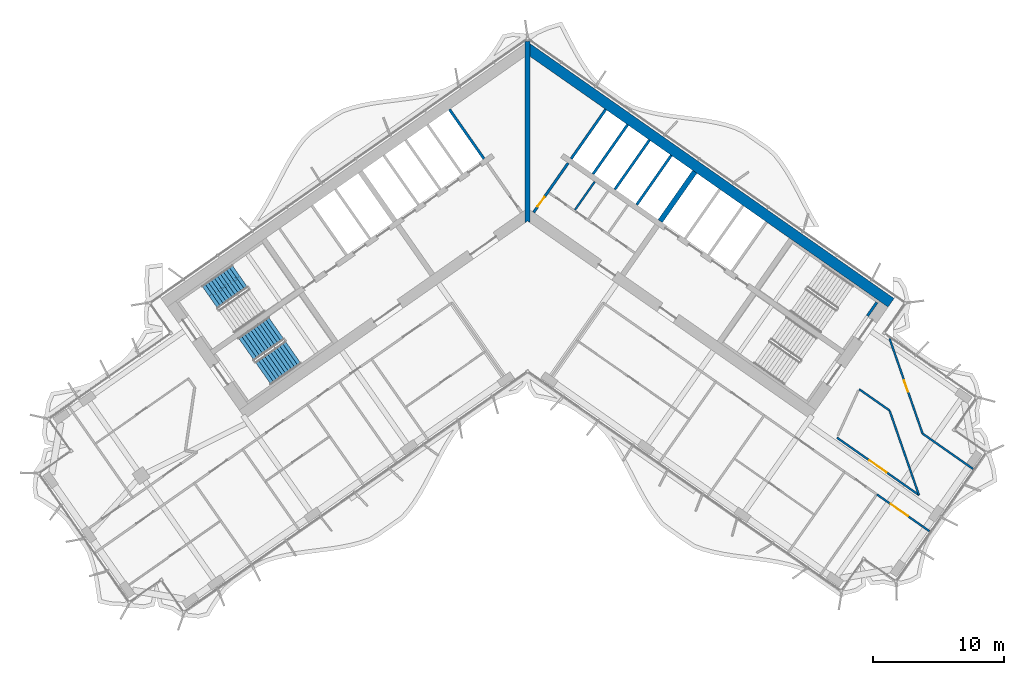
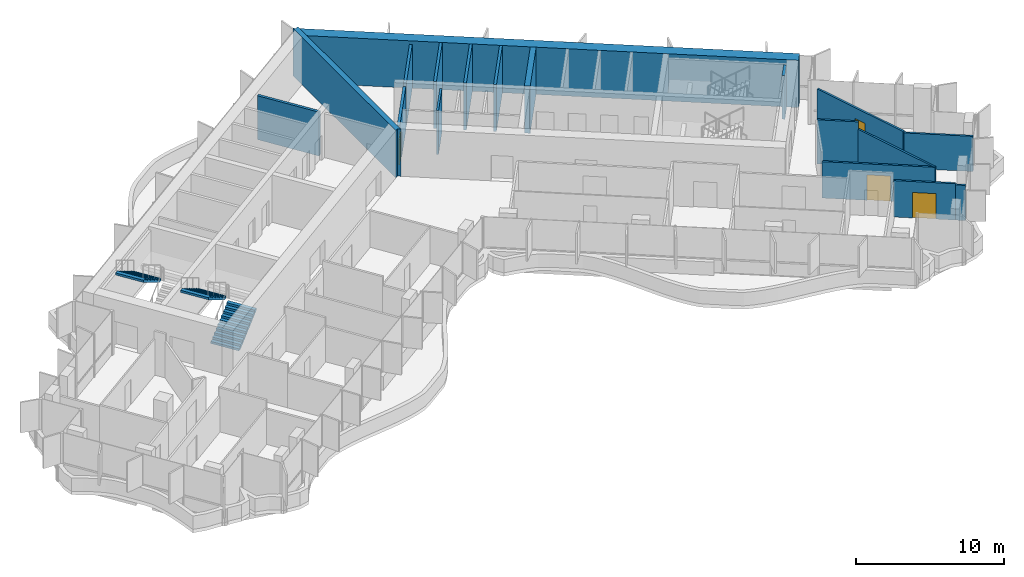
# One storey, part 17 of 23: 18 walls, 4 doors, 3 stair flights, 4 openings, 2 elements without a shape of their own.
"""IFC4 building model written with IfcOpenShell, lengths in metres."""

from ifc_helpers import new_model, si_unit, direction, frame, frame_2d, origin, place, context, subcontext, project, spatial, polyline, rectangle, outline, extrude, material, layer, layer_set, type_object, element, fill, aggregate, save


model = new_model("IFC4")

# Units and contexts
model_context = context("Model", 3, precision=1e-05, world=origin(), true_north=direction((0.0, 1.0)))
body_context = subcontext(model_context, "Body", "Model", "MODEL_VIEW")
ifc_project = project(units=[si_unit("LENGTHUNIT", "METRE"), si_unit("AREAUNIT", "SQUARE_METRE"), si_unit("VOLUMEUNIT", "CUBIC_METRE"), si_unit("PLANEANGLEUNIT", "RADIAN"), si_unit("MASSUNIT", "GRAM", prefix="KILO")], contexts=[model_context])

# Site, building, storey
site_placement = place(None, origin())
site = spatial("IfcSite", under=ifc_project, at=site_placement, CompositionType="ELEMENT")
building_placement = place(site_placement, origin())
building = spatial("IfcBuilding", under=site, at=building_placement, Name="Tel Ilan Convention Tower", CompositionType="ELEMENT")
storey_placement = place(building_placement, frame((0.0, 0.0, 194.39990234375)))
storey = spatial("IfcBuildingStorey", under=building, at=storey_placement, Name="L45", CompositionType="ELEMENT", Elevation=194.39990234375)

# Walls
ifc_material_1 = material(Name="Gypsum Plasterboard on Steel Stud", Category="steel")
ifc_layer_1 = layer(ifc_material_1, 0.14990234375)
ifc_layer_set_1 = layer_set([ifc_layer_1], Name="Core Room Partition Wall 150 mm EI 60")
wall_type_1 = type_object("IfcWallType", Name="Core Room Partition Wall 150 mm EI 60", PredefinedType="PARTITIONING", material=ifc_layer_set_1)
wall_1_placement = place(storey_placement, frame((3.618896484375, -0.3671875, 0.0), z_axis=(0.0, 0.0, 1.0), x_axis=(0.573549726504, 0.819170746076, 0.0)))
element("IfcWall", 1, at=wall_1_placement, inside=storey, type_object=wall_type_1, Name="L45 core wall wc-v0", PredefinedType="PARTITIONING", context=body_context, shape_type="SweptSolid", body=[
    extrude(rectangle(XDim=2.625, YDim=0.14990234375, at=frame_2d((1.3125, 0.0))), origin(), (0.0, 0.0, 1.0), 3.6201171875),
])
ifc_material_2 = material(Name="Concrete C30/37", Category="concrete")
ifc_layer_2 = layer(ifc_material_2, 0.199951171875)
ifc_layer_set_2 = layer_set([ifc_layer_2], Name="Core Service Room Wall 200 mm C30/37")
wall_type_2 = type_object("IfcWallType", Name="Core Service Room Wall 200 mm C30/37", PredefinedType="SOLIDWALL", material=ifc_layer_set_2)
wall_2_placement = place(storey_placement, frame((-3.32666015625, 3.530517578125, 0.0), z_axis=(0.0, 0.0, 1.0), x_axis=(-0.573576324356, 0.819152122709, 0.0)))
element("IfcWall", 2, at=wall_2_placement, inside=storey, type_object=wall_type_2, Name="L45 core wall apex-W-b", PredefinedType="SOLIDWALL", context=body_context, shape_type="SweptSolid", body=[
    extrude(rectangle(XDim=4.599853515625, YDim=0.199951171875, at=frame_2d((2.2998046875, 0.0))), origin(), (0.0, 0.0, 1.0), 3.6201171875),
])

# Wall, opening, door
wall_3_placement = place(storey_placement, frame((0.458740234375, -0.565185546875, 0.0), z_axis=(0.0, 0.0, 1.0), x_axis=(0.573576324356, 0.819152122709, 0.0)))
wall_3 = element("IfcWall", 3, at=wall_3_placement, inside=storey, type_object=wall_type_2, Name="L45 core wall apex-E", PredefinedType="SOLIDWALL", context=body_context, shape_type="SweptSolid", body=[
    extrude(rectangle(XDim=4.599853515625, YDim=0.199951171875, at=frame_2d((2.2998046875, 0.0))), origin(), (0.0, 0.0, 1.0), 3.6201171875),
])
opening_1_placement = place(wall_3_placement, frame((0.550048828125, 0.0, 0.0)))
opening_1 = element("IfcOpeningElement", 4, at=opening_1_placement, cuts=wall_3, Name="Opening CD3501", PredefinedType="OPENING", context=body_context, shape_type="SweptSolid", body=[
    extrude(rectangle(XDim=0.89990234375, YDim=2.10009765625, at=frame_2d((0.449951171875, 1.050048828125))), frame((0.0, 0.10986328125, 0.0), z_axis=(0.0, -1.0, 0.0), x_axis=(1.0, 0.0, 0.0)), (0.0, 0.0, 1.0), 0.219970703125),
])
ifc_material_3 = material(Name="Galvanised Steel Door Leaf", Category="steel")
door_type_1 = type_object("IfcDoorType", Name="Service Room Door 900 x 2100 FD60", OperationType="NOTDEFINED", PredefinedType="DOOR", material=ifc_material_3)
door_1_placement = place(opening_1_placement, origin())
door_1 = element("IfcDoor", 5, at=door_1_placement, inside=storey, type_object=door_type_1, Name="Electrical Room door", OperationType="SINGLE_SWING_RIGHT", OverallHeight=2.10009765625, OverallWidth=0.89990234375, PredefinedType="DOOR", context=body_context, shape_type="SweptSolid", body=[
    extrude(rectangle(XDim=0.89990234375, YDim=2.10009765625, at=frame_2d((0.449951171875, 1.050048828125))), frame((0.0, 0.02490234375, 0.0), z_axis=(0.0, -1.0, 0.0), x_axis=(1.0, 0.0, 0.0)), (0.0, 0.0, 1.0), 0.050048828125),
])
fill(opening_1, door_1)

# Walls
wall_4_placement = place(storey_placement, frame((3.32666015625, 3.530517578125, 0.0), z_axis=(0.0, 0.0, 1.0), x_axis=(0.573576324356, 0.819152122709, 0.0)))
element("IfcWall", 6, at=wall_4_placement, inside=storey, type_object=wall_type_2, Name="L45 core wall apex-E-b", PredefinedType="SOLIDWALL", context=body_context, shape_type="SweptSolid", body=[
    extrude(rectangle(XDim=4.599853515625, YDim=0.199951171875, at=frame_2d((2.2998046875, 0.0))), origin(), (0.0, 0.0, 1.0), 3.6201171875),
])
ifc_material_4 = material(Name="Concrete C50/60", Category="concrete")
ifc_layer_3 = layer(ifc_material_4, 0.39990234375)
ifc_layer_set_3 = layer_set([ifc_layer_3], Name="Core Shear Wall 400 mm C50/60")
wall_type_3 = type_object("IfcWallType", Name="Core Shear Wall 400 mm C50/60", PredefinedType="SHEAR", material=ifc_layer_set_3)
wall_5_placement = place(storey_placement, frame((10.12548828125, -1.230224609375, 0.0), z_axis=(0.0, 0.0, 1.0), x_axis=(0.573576324356, 0.819152122709, 0.0)))
element("IfcWall", 7, at=wall_5_placement, inside=storey, type_object=wall_type_3, Name="L45 core wall E-cross1-2", PredefinedType="SHEAR", context=body_context, shape_type="SweptSolid", body=[
    extrude(outline(polyline([(4.599853515625, -0.199951171875), (4.60009765625, 0.199951171875), (0.0, 0.199951171875), (0.0, -0.2001953125), (4.599853515625, -0.199951171875)])), origin(), (0.0, 0.0, 1.0), 3.900146484375),
])
wall_6_placement = place(storey_placement, frame((0.0, -1.36083984375, 0.0), z_axis=(0.0, 0.0, 1.0), x_axis=(0.0, 1.0, 0.0)))
element("IfcWall", 8, at=wall_6_placement, inside=storey, type_object=wall_type_3, Name="L45 core wall K-central", PredefinedType="SHEAR", context=body_context, shape_type="SweptSolid", body=[
    extrude(outline(polyline([(0.0, -0.199951171875), (0.14013671875, -0.199951171875), (1.0751953125, -0.199951171875), (12.696044921875, -0.199951171875), (13.812744140625, -0.199951171875), (13.893310546875, -0.199951171875), (13.933349609375, -0.172119140625), (13.812744140625, 0.0), (13.933349609375, 0.172119140625), (13.893310546875, 0.199951171875), (13.812744140625, 0.199951171875), (12.696044921875, 0.199951171875), (1.0751953125, 0.199951171875), (0.14013671875, 0.199951171875), (0.0, 0.199951171875), (0.14013671875, 0.0), (0.0, -0.199951171875)])), origin(), (0.0, 0.0, 1.0), 3.900146484375),
])
ifc_material_5 = material(Name="Concrete C50/60", Category="concrete")
ifc_layer_4 = layer(ifc_material_5, 0.800048828125)
ifc_layer_set_4 = layer_set([ifc_layer_4], Name="Core Shear Wall 800 mm C50/60")
wall_type_4 = type_object("IfcWallType", Name="Core Shear Wall 800 mm C50/60", PredefinedType="SHEAR", material=ifc_layer_set_4)
wall_7_placement = place(storey_placement, frame((-0.029296875, 11.984130859375, 0.0), z_axis=(0.0, 0.0, 1.0), x_axis=(0.819151382952, -0.573577380837, 0.0)))
element("IfcWall", 9, at=wall_7_placement, inside=storey, type_object=wall_type_4, Name="L45 core wall E-back", PredefinedType="SHEAR", context=body_context, shape_type="SweptSolid", body=[
    extrude(outline(polyline([(33.897705078125, 0.400146484375), (-0.000244140625, 0.39990234375), (0.56005859375, -0.400146484375), (33.897705078125, -0.39990234375), (33.897705078125, 0.400146484375)])), origin(), (0.0, 0.0, 1.0), 3.900146484375),
])

# Wall, opening, door
ifc_material_6 = material(Name="Plasterboard on Steel Studs", Category="steel")
ifc_layer_5 = layer(ifc_material_6, 0.14990234375)
ifc_layer_set_5 = layer_set([ifc_layer_5], Name="Fire-rated Partition 150 EI 60")
wall_type_5 = type_object("IfcWallType", Name="Fire-rated Partition 150 EI 60", PredefinedType="PARTITIONING", material=ifc_layer_set_5)
wall_8_placement = place(storey_placement, frame((23.604736328125, -17.7490234375, 0.0), z_axis=(0.0, 0.0, 1.0), x_axis=(0.819164438106, -0.57355873574, 0.0)))
wall_8 = element("IfcWall", 10, at=wall_8_placement, inside=storey, type_object=wall_type_5, Name="Partition 001", PredefinedType="PARTITIONING", context=body_context, shape_type="SweptSolid", body=[
    extrude(rectangle(XDim=7.649169921875, YDim=0.14990234375, at=frame_2d((3.82470703125, 0.0))), origin(), (0.0, 0.0, 1.0), 3.0),
])
opening_2_placement = place(wall_8_placement, frame((3.0244140625, 0.0, 0.0)))
opening_2 = element("IfcOpeningElement", 11, at=opening_2_placement, cuts=wall_8, Name="Opening L45-020", PredefinedType="OPENING", context=body_context, shape_type="SweptSolid", body=[
    extrude(rectangle(XDim=1.60009765625, YDim=2.10009765625, at=frame_2d((0.800048828125, 1.050048828125))), frame((0.0, 0.0849609375, 0.0), z_axis=(0.0, -1.0, 0.0), x_axis=(1.0, 0.0, 0.0)), (0.0, 0.0, 1.0), 0.169921875),
])
ifc_material_7 = material(Name="Timber Door Leaf in Steel Frame", Category="steel")
door_type_2 = type_object("IfcDoorType", Name="Tenant Suite Entrance Fire Door 1600x2100", OperationType="NOTDEFINED", PredefinedType="DOOR", material=ifc_material_7)
door_2_placement = place(opening_2_placement, origin())
door_2 = element("IfcDoor", 12, at=door_2_placement, inside=storey, type_object=door_type_2, Name="Door L45-020", OperationType="DOUBLE_DOOR_SINGLE_SWING", OverallHeight=2.10009765625, OverallWidth=1.60009765625, PredefinedType="DOOR", context=body_context, shape_type="SweptSolid", body=[
    extrude(rectangle(XDim=1.60009765625, YDim=2.10009765625, at=frame_2d((0.800048828125, 1.050048828125))), frame((0.0, 0.02490234375, 0.0), z_axis=(0.0, -1.0, 0.0), x_axis=(1.0, 0.0, 0.0)), (0.0, 0.0, 1.0), 0.050048828125),
])
fill(opening_2, door_2)

wall_9_placement = place(storey_placement, frame((30.09521484375, -24.4912109375, 0.0), z_axis=(0.0, 0.0, 1.0), x_axis=(-0.819130917785, 0.573606606943, 0.0)))
wall_9 = element("IfcWall", 13, at=wall_9_placement, inside=storey, type_object=wall_type_5, Name="Partition 006", PredefinedType="PARTITIONING", context=body_context, shape_type="SweptSolid", body=[
    extrude(rectangle(XDim=4.2021484375, YDim=0.14990234375, at=frame_2d((2.10107421875, 0.0))), origin(), (0.0, 0.0, 1.0), 3.0),
])
opening_3_placement = place(wall_9_placement, frame((1.301025390625, 0.0, 0.0)))
opening_3 = element("IfcOpeningElement", 14, at=opening_3_placement, cuts=wall_9, Name="Opening L45-019", PredefinedType="OPENING", context=body_context, shape_type="SweptSolid", body=[
    extrude(rectangle(XDim=1.60009765625, YDim=2.10009765625, at=frame_2d((0.800048828125, 1.050048828125))), frame((0.0, 0.0849609375, 0.0), z_axis=(0.0, -1.0, 0.0), x_axis=(1.0, 0.0, 0.0)), (0.0, 0.0, 1.0), 0.169921875),
])
door_3_placement = place(opening_3_placement, origin())
door_3 = element("IfcDoor", 15, at=door_3_placement, inside=storey, type_object=door_type_2, Name="Door L45-019", OperationType="DOUBLE_DOOR_SINGLE_SWING", OverallHeight=2.10009765625, OverallWidth=1.60009765625, PredefinedType="DOOR", context=body_context, shape_type="SweptSolid", body=[
    extrude(rectangle(XDim=1.60009765625, YDim=2.10009765625, at=frame_2d((0.800048828125, 1.050048828125))), frame((0.0, 0.02490234375, 0.0), z_axis=(0.0, -1.0, 0.0), x_axis=(1.0, 0.0, 0.0)), (0.0, 0.0, 1.0), 0.050048828125),
])
fill(opening_3, door_3)

# Wall
wall_10_placement = place(storey_placement, frame((33.995849609375, -20.140625, 0.0), z_axis=(0.0, 0.0, 1.0), x_axis=(-0.819151387458, 0.573577374402, 0.0)))
element("IfcWall", 16, at=wall_10_placement, inside=storey, type_object=wall_type_5, Name="Partition 015", PredefinedType="PARTITIONING", context=body_context, shape_type="SweptSolid", body=[
    extrude(rectangle(XDim=4.700439453125, YDim=0.14990234375, at=frame_2d((2.35009765625, 0.0))), origin(), (0.0, 0.0, 1.0), 2.900146484375),
])

# Wall, opening, door
wall_11_placement = place(storey_placement, frame((30.1455078125, -17.444580078125, 0.0), z_axis=(0.0, 0.0, 1.0), x_axis=(-0.328073138075, 0.944652325501, 0.0)))
wall_11 = element("IfcWall", 17, at=wall_11_placement, inside=storey, type_object=wall_type_5, Name="Partition 016", PredefinedType="PARTITIONING", context=body_context, shape_type="SweptSolid", body=[
    extrude(rectangle(XDim=7.68212890625, YDim=0.14990234375, at=frame_2d((3.841064453125, 0.0))), origin(), (0.0, 0.0, 1.0), 3.0),
])
opening_4_placement = place(wall_11_placement, frame((3.39111328125, 0.0, 0.0)))
opening_4 = element("IfcOpeningElement", 18, at=opening_4_placement, cuts=wall_11, Name="Opening L45-021", PredefinedType="OPENING", context=body_context, shape_type="SweptSolid", body=[
    extrude(rectangle(XDim=0.89990234375, YDim=2.10009765625, at=frame_2d((0.449951171875, 1.050048828125))), frame((0.0, 0.0849609375, 0.0), z_axis=(0.0, -1.0, 0.0), x_axis=(1.0, 0.0, 0.0)), (0.0, 0.0, 1.0), 0.169921875),
])
ifc_material_8 = material(Name="Timber Door Leaf in Steel Frame", Category="steel")
door_type_3 = type_object("IfcDoorType", Name="Room Fire Door 900x2100", OperationType="NOTDEFINED", PredefinedType="DOOR", material=ifc_material_8)
door_4_placement = place(opening_4_placement, origin())
door_4 = element("IfcDoor", 19, at=door_4_placement, inside=storey, type_object=door_type_3, Name="Door L45-021", OperationType="SINGLE_SWING_LEFT", OverallHeight=2.10009765625, OverallWidth=0.89990234375, PredefinedType="DOOR", context=body_context, shape_type="SweptSolid", body=[
    extrude(rectangle(XDim=0.89990234375, YDim=2.10009765625, at=frame_2d((0.449951171875, 1.050048828125))), frame((0.0, 0.02490234375, 0.0), z_axis=(0.0, -1.0, 0.0), x_axis=(1.0, 0.0, 0.0)), (0.0, 0.0, 1.0), 0.050048828125),
])
fill(opening_4, door_4)

# Walls
wall_12_placement = place(storey_placement, frame((25.311279296875, -14.060791015625, 0.0), z_axis=(0.0, 0.0, 1.0), x_axis=(0.819179203532, -0.573537646978, 0.0)))
element("IfcWall", 20, at=wall_12_placement, inside=storey, type_object=wall_type_5, Name="Partition 017", PredefinedType="PARTITIONING", context=body_context, shape_type="SweptSolid", body=[
    extrude(rectangle(XDim=2.82861328125, YDim=0.14990234375, at=frame_2d((1.414306640625, 0.0))), origin(), (0.0, 0.0, 1.0), 3.6201171875),
])
wall_13_placement = place(storey_placement, frame((27.62841796875, -15.68310546875, 0.0), z_axis=(0.0, 0.0, 1.0), x_axis=(0.328031182776, -0.944666895327, 0.0)))
element("IfcWall", 21, at=wall_13_placement, inside=storey, type_object=wall_type_5, Name="Partition 018", PredefinedType="PARTITIONING", context=body_context, shape_type="SweptSolid", body=[
    extrude(rectangle(XDim=6.830078125, YDim=0.14990234375, at=frame_2d((3.4150390625, 0.0))), origin(), (0.0, 0.0, 1.0), 3.0),
])
wall_14_placement = place(storey_placement, frame((30.09375, -24.489990234375, 0.0), z_axis=(0.0, 0.0, 1.0), x_axis=(0.819150206117, -0.573579061523, 0.0)))
element("IfcWall", 22, at=wall_14_placement, inside=storey, type_object=wall_type_5, Name="Partition 031", PredefinedType="PARTITIONING", context=body_context, shape_type="SweptSolid", body=[
    extrude(rectangle(XDim=0.701904296875, YDim=0.14990234375, at=frame_2d((0.35107421875, 0.0))), origin(), (0.0, 0.0, 1.0), 2.900146484375),
])
ifc_material_9 = material(Name="Concrete C30/37", Category="concrete")
ifc_layer_6 = layer(ifc_material_9, 0.199951171875)
ifc_layer_set_6 = layer_set([ifc_layer_6], Name="Lift Shaft Wall 200 mm C30/37")
wall_type_6 = type_object("IfcWallType", Name="Lift Shaft Wall 200 mm C30/37", PredefinedType="SOLIDWALL", material=ifc_layer_set_6)
for number, where, z_axis, x_axis, name in (
    (23, (4.99560546875, 2.36181640625, 0.0), (0.0, 0.0, 1.0), (0.573576324356, 0.819152122709, 0.0), "L45 core wall bank-E1-p0"),
    (24, (6.66455078125, 1.193115234375, 0.0), (0.0, 0.0, 1.0), (0.573576324356, 0.819152122709, 0.0), "L45 core wall bank-E1-p1"),
):
    element("IfcWall", number, at=place(storey_placement, frame(where, z_axis=z_axis, x_axis=x_axis)), inside=storey, type_object=wall_type_6, Name=name, PredefinedType="SOLIDWALL", context=body_context, shape_type="SweptSolid", body=[
        extrude(rectangle(XDim=4.599853515625, YDim=0.199951171875, at=frame_2d((2.2998046875, 0.0))), origin(), (0.0, 0.0, 1.0), 3.900146484375),
    ])
wall_15_placement = place(storey_placement, frame((8.33349609375, 0.0244140625, 0.0), z_axis=(0.0, 0.0, 1.0), x_axis=(0.573611936273, 0.819127185829, 0.0)))
element("IfcWall", 25, at=wall_15_placement, inside=storey, type_object=wall_type_6, Name="L45 core wall bank-E1-p2", PredefinedType="SOLIDWALL", context=body_context, shape_type="SweptSolid", body=[
    extrude(rectangle(XDim=4.60009765625, YDim=0.199951171875, at=frame_2d((2.300048828125, 0.0))), origin(), (0.0, 0.0, 1.0), 3.900146484375),
])
ifc_material_10 = material(Name="Concrete C30/37", Category="concrete")
ifc_layer_7 = layer(ifc_material_10, 0.199951171875)
ifc_layer_set_7 = layer_set([ifc_layer_7], Name="Stair and Shaft Lining Wall 200 mm C30/37")
wall_type_7 = type_object("IfcWallType", Name="Stair and Shaft Lining Wall 200 mm C30/37", PredefinedType="SOLIDWALL", material=ifc_layer_set_7)
wall_16_placement = place(storey_placement, frame((25.939697265625, -8.4580078125, 0.0), z_axis=(0.0, 0.0, 1.0), x_axis=(0.573619628835, 0.819121798889, 0.0)))
element("IfcWall", 26, at=wall_16_placement, inside=storey, type_object=wall_type_7, Name="L45 core wall lining-S3-u1-1", PredefinedType="SOLIDWALL", context=body_context, shape_type="SweptSolid", body=[
    extrude(rectangle(XDim=1.25, YDim=0.199951171875, at=frame_2d((0.625, 0.0))), origin(), (0.0, 0.0, 1.0), 3.6201171875),
])

# Stair, stair flight
ifc_material_11 = material(Name="Concrete C40/50", Category="concrete")
stair_type = type_object("IfcStairType", Name="Pressurised Exit Stair 22 risers 177 mm", PredefinedType="HALF_TURN_STAIR", material=ifc_material_11)
stair_1_placement = place(storey_placement, origin())
stair_1 = element("IfcStair", 27, at=stair_1_placement, inside=storey, type_object=stair_type, Name="L45 Pressurised Stair S1", PredefinedType="HALF_TURN_STAIR")
ifc_material_12 = material(Name="Precast Concrete C40/50", Category="concrete")
stair_flight_type = type_object("IfcStairFlightType", Name="Concrete Stair Flight 2100 mm 22 risers 177 mm", PredefinedType="STRAIGHT", material=ifc_material_12)
stair_flight_1_placement = place(storey_placement, frame((-21.958740234375, -5.42626953125, 1.9501953125), z_axis=(0.0, 0.0, 1.0), x_axis=(-0.819152044289, -0.573576436351, 0.0)))
stair_flight_1 = element("IfcStairFlight", 28, at=stair_flight_1_placement, type_object=stair_flight_type, Name="S1 flight 2", NumberOfRisers=11, NumberOfTreads=10, PredefinedType="STRAIGHT", RiserHeight=0.177272727, TreadLength=0.28, context=body_context, shape_type="SweptSolid", body=[
    extrude(outline(polyline([(0.0, 0.0), (0.0, 0.17724609375), (0.280029296875, 0.17724609375), (0.280029296875, 0.3544921875), (0.56005859375, 0.3544921875), (0.56005859375, 0.53173828125), (0.840087890625, 0.53173828125), (0.840087890625, 0.708984375), (1.1201171875, 0.708984375), (1.1201171875, 0.886474609375), (1.39990234375, 0.886474609375), (1.39990234375, 1.063720703125), (1.679931640625, 1.063720703125), (1.679931640625, 1.240966796875), (1.9599609375, 1.240966796875), (1.9599609375, 1.418212890625), (2.239990234375, 1.418212890625), (2.239990234375, 1.595458984375), (2.52001953125, 1.595458984375), (2.52001953125, 1.772705078125), (2.800048828125, 1.772705078125), (2.800048828125, 1.949951171875), (2.800048828125, 1.59521484375), (0.2802734375, 0.0), (0.0, 0.0)])), frame((0.0, -0.100341796875, 0.0), z_axis=(0.0, -1.0, 0.0), x_axis=(1.0, 0.0, 0.0)), (0.0, 0.0, 1.0), 0.94970703125),
    extrude(outline(polyline([(0.0, 0.0), (0.0, 0.17724609375), (0.280029296875, 0.17724609375), (0.280029296875, 0.3544921875), (0.56005859375, 0.3544921875), (0.56005859375, 0.53173828125), (0.840087890625, 0.53173828125), (0.840087890625, 0.708984375), (1.1201171875, 0.708984375), (1.1201171875, 0.886474609375), (1.39990234375, 0.886474609375), (1.39990234375, 1.063720703125), (1.679931640625, 1.063720703125), (1.679931640625, 1.240966796875), (1.9599609375, 1.240966796875), (1.9599609375, 1.418212890625), (2.239990234375, 1.418212890625), (2.239990234375, 1.595458984375), (2.52001953125, 1.595458984375), (2.52001953125, 1.772705078125), (2.800048828125, 1.772705078125), (2.800048828125, 1.949951171875), (2.800048828125, 1.59521484375), (0.2802734375, 0.0), (0.0, 0.0)])), frame((0.0, -0.000244140625, 0.0), z_axis=(0.0, -1.0, 0.0), x_axis=(1.0, 0.0, 0.0)), (0.0, 0.0, 1.0), 0.099609375),
    extrude(outline(polyline([(0.0, 0.0), (0.0, 0.17724609375), (0.280029296875, 0.17724609375), (0.280029296875, 0.3544921875), (0.56005859375, 0.3544921875), (0.56005859375, 0.53173828125), (0.840087890625, 0.53173828125), (0.840087890625, 0.708984375), (1.1201171875, 0.708984375), (1.1201171875, 0.886474609375), (1.39990234375, 0.886474609375), (1.39990234375, 1.063720703125), (1.679931640625, 1.063720703125), (1.679931640625, 1.240966796875), (1.9599609375, 1.240966796875), (1.9599609375, 1.418212890625), (2.239990234375, 1.418212890625), (2.239990234375, 1.595458984375), (2.52001953125, 1.595458984375), (2.52001953125, 1.772705078125), (2.800048828125, 1.772705078125), (2.800048828125, 1.949951171875), (2.800048828125, 1.59521484375), (0.2802734375, 0.0), (0.0, 0.0)])), frame((0.0, 0.099853515625, 0.0), z_axis=(0.0, -1.0, 0.0), x_axis=(1.0, 0.0, 0.0)), (0.0, 0.0, 1.0), 0.099609375),
    extrude(outline(polyline([(0.0, 0.0), (0.0, 0.17724609375), (0.280029296875, 0.17724609375), (0.280029296875, 0.3544921875), (0.56005859375, 0.3544921875), (0.56005859375, 0.53173828125), (0.840087890625, 0.53173828125), (0.840087890625, 0.708984375), (1.1201171875, 0.708984375), (1.1201171875, 0.886474609375), (1.39990234375, 0.886474609375), (1.39990234375, 1.063720703125), (1.679931640625, 1.063720703125), (1.679931640625, 1.240966796875), (1.9599609375, 1.240966796875), (1.9599609375, 1.418212890625), (2.239990234375, 1.418212890625), (2.239990234375, 1.595458984375), (2.52001953125, 1.595458984375), (2.52001953125, 1.772705078125), (2.800048828125, 1.772705078125), (2.800048828125, 1.949951171875), (2.800048828125, 1.59521484375), (0.2802734375, 0.0), (0.0, 0.0)])), frame((0.0, 1.050048828125, 0.0), z_axis=(0.0, -1.0, 0.0), x_axis=(1.0, 0.0, 0.0)), (0.0, 0.0, 1.0), 0.94970703125),
])
aggregate(stair_1, [stair_flight_1])

# Stair, stair flights
stair_2_placement = place(storey_placement, origin())
stair_2 = element("IfcStair", 29, at=stair_2_placement, inside=storey, type_object=stair_type, Name="L45 Pressurised Stair S2", PredefinedType="HALF_TURN_STAIR")
stair_flight_2_placement = place(storey_placement, frame((-20.179931640625, -12.848388671875, 0.0), z_axis=(0.0, 0.0, 1.0), x_axis=(0.819152044289, 0.573576436351, 0.0)))
stair_flight_2 = element("IfcStairFlight", 30, at=stair_flight_2_placement, type_object=stair_flight_type, Name="S2 flight 1", NumberOfRisers=11, NumberOfTreads=10, PredefinedType="STRAIGHT", RiserHeight=0.177272727, TreadLength=0.28, context=body_context, shape_type="SweptSolid", body=[
    extrude(outline(polyline([(0.0, 0.0), (0.0, 0.17724609375), (0.280029296875, 0.17724609375), (0.280029296875, 0.3544921875), (0.56005859375, 0.3544921875), (0.56005859375, 0.53173828125), (0.840087890625, 0.53173828125), (0.840087890625, 0.708984375), (1.1201171875, 0.708984375), (1.1201171875, 0.886474609375), (1.39990234375, 0.886474609375), (1.39990234375, 1.063720703125), (1.679931640625, 1.063720703125), (1.679931640625, 1.240966796875), (1.9599609375, 1.240966796875), (1.9599609375, 1.418212890625), (2.239990234375, 1.418212890625), (2.239990234375, 1.595458984375), (2.52001953125, 1.595458984375), (2.52001953125, 1.772705078125), (2.800048828125, 1.772705078125), (2.800048828125, 1.949951171875), (2.800048828125, 1.59521484375), (0.2802734375, 0.0), (0.0, 0.0)])), frame((0.0, -0.100341796875, 0.0), z_axis=(0.0, -1.0, 0.0), x_axis=(1.0, 0.0, 0.0)), (0.0, 0.0, 1.0), 0.94970703125),
    extrude(outline(polyline([(0.0, 0.0), (0.0, 0.17724609375), (0.280029296875, 0.17724609375), (0.280029296875, 0.3544921875), (0.56005859375, 0.3544921875), (0.56005859375, 0.53173828125), (0.840087890625, 0.53173828125), (0.840087890625, 0.708984375), (1.1201171875, 0.708984375), (1.1201171875, 0.886474609375), (1.39990234375, 0.886474609375), (1.39990234375, 1.063720703125), (1.679931640625, 1.063720703125), (1.679931640625, 1.240966796875), (1.9599609375, 1.240966796875), (1.9599609375, 1.418212890625), (2.239990234375, 1.418212890625), (2.239990234375, 1.595458984375), (2.52001953125, 1.595458984375), (2.52001953125, 1.772705078125), (2.800048828125, 1.772705078125), (2.800048828125, 1.949951171875), (2.800048828125, 1.59521484375), (0.2802734375, 0.0), (0.0, 0.0)])), frame((0.0, -0.000244140625, 0.0), z_axis=(0.0, -1.0, 0.0), x_axis=(1.0, 0.0, 0.0)), (0.0, 0.0, 1.0), 0.099609375),
    extrude(outline(polyline([(0.0, 0.0), (0.0, 0.17724609375), (0.280029296875, 0.17724609375), (0.280029296875, 0.3544921875), (0.56005859375, 0.3544921875), (0.56005859375, 0.53173828125), (0.840087890625, 0.53173828125), (0.840087890625, 0.708984375), (1.1201171875, 0.708984375), (1.1201171875, 0.886474609375), (1.39990234375, 0.886474609375), (1.39990234375, 1.063720703125), (1.679931640625, 1.063720703125), (1.679931640625, 1.240966796875), (1.9599609375, 1.240966796875), (1.9599609375, 1.418212890625), (2.239990234375, 1.418212890625), (2.239990234375, 1.595458984375), (2.52001953125, 1.595458984375), (2.52001953125, 1.772705078125), (2.800048828125, 1.772705078125), (2.800048828125, 1.949951171875), (2.800048828125, 1.59521484375), (0.2802734375, 0.0), (0.0, 0.0)])), frame((0.0, 0.099853515625, 0.0), z_axis=(0.0, -1.0, 0.0), x_axis=(1.0, 0.0, 0.0)), (0.0, 0.0, 1.0), 0.099609375),
    extrude(outline(polyline([(0.0, 0.0), (0.0, 0.17724609375), (0.280029296875, 0.17724609375), (0.280029296875, 0.3544921875), (0.56005859375, 0.3544921875), (0.56005859375, 0.53173828125), (0.840087890625, 0.53173828125), (0.840087890625, 0.708984375), (1.1201171875, 0.708984375), (1.1201171875, 0.886474609375), (1.39990234375, 0.886474609375), (1.39990234375, 1.063720703125), (1.679931640625, 1.063720703125), (1.679931640625, 1.240966796875), (1.9599609375, 1.240966796875), (1.9599609375, 1.418212890625), (2.239990234375, 1.418212890625), (2.239990234375, 1.595458984375), (2.52001953125, 1.595458984375), (2.52001953125, 1.772705078125), (2.800048828125, 1.772705078125), (2.800048828125, 1.949951171875), (2.800048828125, 1.59521484375), (0.2802734375, 0.0), (0.0, 0.0)])), frame((0.0, 1.050048828125, 0.0), z_axis=(0.0, -1.0, 0.0), x_axis=(1.0, 0.0, 0.0)), (0.0, 0.0, 1.0), 0.94970703125),
])
stair_flight_3_placement = place(storey_placement, frame((-19.177001953125, -9.399169921875, 1.9501953125), z_axis=(0.0, 0.0, 1.0), x_axis=(-0.819152044289, -0.573576436351, 0.0)))
stair_flight_3 = element("IfcStairFlight", 31, at=stair_flight_3_placement, type_object=stair_flight_type, Name="S2 flight 2", NumberOfRisers=11, NumberOfTreads=10, PredefinedType="STRAIGHT", RiserHeight=0.177272727, TreadLength=0.28, context=body_context, shape_type="SweptSolid", body=[
    extrude(outline(polyline([(0.0, 0.0), (0.0, 0.17724609375), (0.280029296875, 0.17724609375), (0.280029296875, 0.3544921875), (0.56005859375, 0.3544921875), (0.56005859375, 0.53173828125), (0.840087890625, 0.53173828125), (0.840087890625, 0.708984375), (1.1201171875, 0.708984375), (1.1201171875, 0.886474609375), (1.39990234375, 0.886474609375), (1.39990234375, 1.063720703125), (1.679931640625, 1.063720703125), (1.679931640625, 1.240966796875), (1.9599609375, 1.240966796875), (1.9599609375, 1.418212890625), (2.239990234375, 1.418212890625), (2.239990234375, 1.595458984375), (2.52001953125, 1.595458984375), (2.52001953125, 1.772705078125), (2.800048828125, 1.772705078125), (2.800048828125, 1.949951171875), (2.800048828125, 1.59521484375), (0.2802734375, 0.0), (0.0, 0.0)])), frame((0.0, -0.100341796875, 0.0), z_axis=(0.0, -1.0, 0.0), x_axis=(1.0, 0.0, 0.0)), (0.0, 0.0, 1.0), 0.94970703125),
    extrude(outline(polyline([(0.0, 0.0), (0.0, 0.17724609375), (0.280029296875, 0.17724609375), (0.280029296875, 0.3544921875), (0.56005859375, 0.3544921875), (0.56005859375, 0.53173828125), (0.840087890625, 0.53173828125), (0.840087890625, 0.708984375), (1.1201171875, 0.708984375), (1.1201171875, 0.886474609375), (1.39990234375, 0.886474609375), (1.39990234375, 1.063720703125), (1.679931640625, 1.063720703125), (1.679931640625, 1.240966796875), (1.9599609375, 1.240966796875), (1.9599609375, 1.418212890625), (2.239990234375, 1.418212890625), (2.239990234375, 1.595458984375), (2.52001953125, 1.595458984375), (2.52001953125, 1.772705078125), (2.800048828125, 1.772705078125), (2.800048828125, 1.949951171875), (2.800048828125, 1.59521484375), (0.2802734375, 0.0), (0.0, 0.0)])), frame((0.0, -0.000244140625, 0.0), z_axis=(0.0, -1.0, 0.0), x_axis=(1.0, 0.0, 0.0)), (0.0, 0.0, 1.0), 0.099609375),
    extrude(outline(polyline([(0.0, 0.0), (0.0, 0.17724609375), (0.280029296875, 0.17724609375), (0.280029296875, 0.3544921875), (0.56005859375, 0.3544921875), (0.56005859375, 0.53173828125), (0.840087890625, 0.53173828125), (0.840087890625, 0.708984375), (1.1201171875, 0.708984375), (1.1201171875, 0.886474609375), (1.39990234375, 0.886474609375), (1.39990234375, 1.063720703125), (1.679931640625, 1.063720703125), (1.679931640625, 1.240966796875), (1.9599609375, 1.240966796875), (1.9599609375, 1.418212890625), (2.239990234375, 1.418212890625), (2.239990234375, 1.595458984375), (2.52001953125, 1.595458984375), (2.52001953125, 1.772705078125), (2.800048828125, 1.772705078125), (2.800048828125, 1.949951171875), (2.800048828125, 1.59521484375), (0.2802734375, 0.0), (0.0, 0.0)])), frame((0.0, 0.099853515625, 0.0), z_axis=(0.0, -1.0, 0.0), x_axis=(1.0, 0.0, 0.0)), (0.0, 0.0, 1.0), 0.099609375),
    extrude(outline(polyline([(0.0, 0.0), (0.0, 0.17724609375), (0.280029296875, 0.17724609375), (0.280029296875, 0.3544921875), (0.56005859375, 0.3544921875), (0.56005859375, 0.53173828125), (0.840087890625, 0.53173828125), (0.840087890625, 0.708984375), (1.1201171875, 0.708984375), (1.1201171875, 0.886474609375), (1.39990234375, 0.886474609375), (1.39990234375, 1.063720703125), (1.679931640625, 1.063720703125), (1.679931640625, 1.240966796875), (1.9599609375, 1.240966796875), (1.9599609375, 1.418212890625), (2.239990234375, 1.418212890625), (2.239990234375, 1.595458984375), (2.52001953125, 1.595458984375), (2.52001953125, 1.772705078125), (2.800048828125, 1.772705078125), (2.800048828125, 1.949951171875), (2.800048828125, 1.59521484375), (0.2802734375, 0.0), (0.0, 0.0)])), frame((0.0, 1.050048828125, 0.0), z_axis=(0.0, -1.0, 0.0), x_axis=(1.0, 0.0, 0.0)), (0.0, 0.0, 1.0), 0.94970703125),
])
aggregate(stair_2, [stair_flight_2, stair_flight_3])

save(model, "model.ifc")
